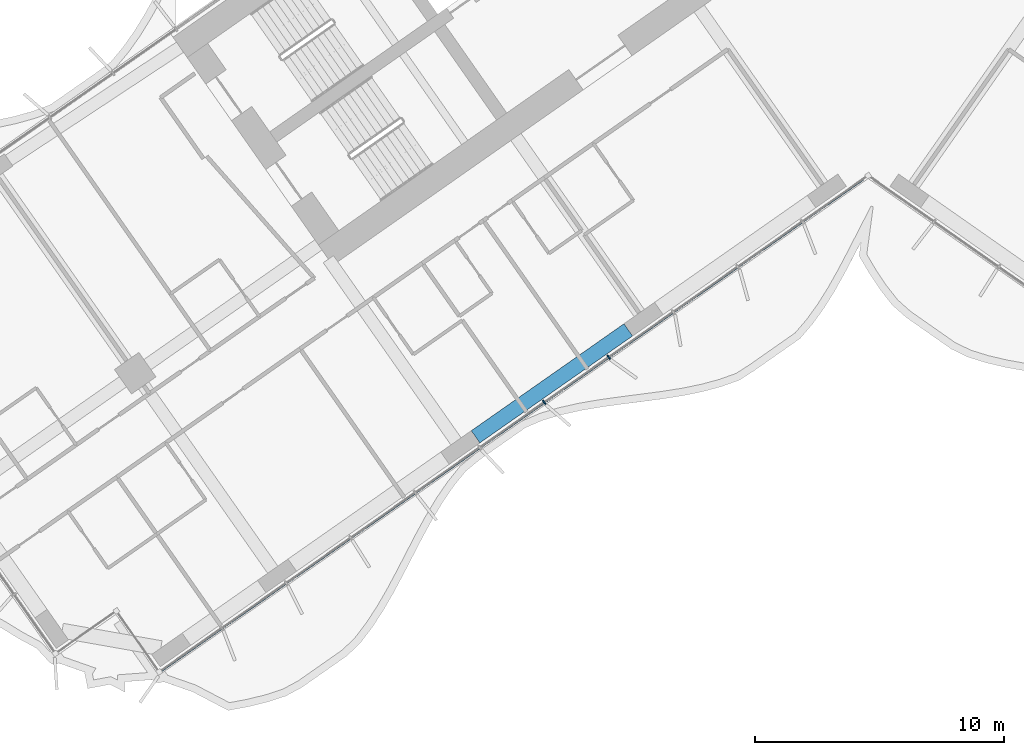
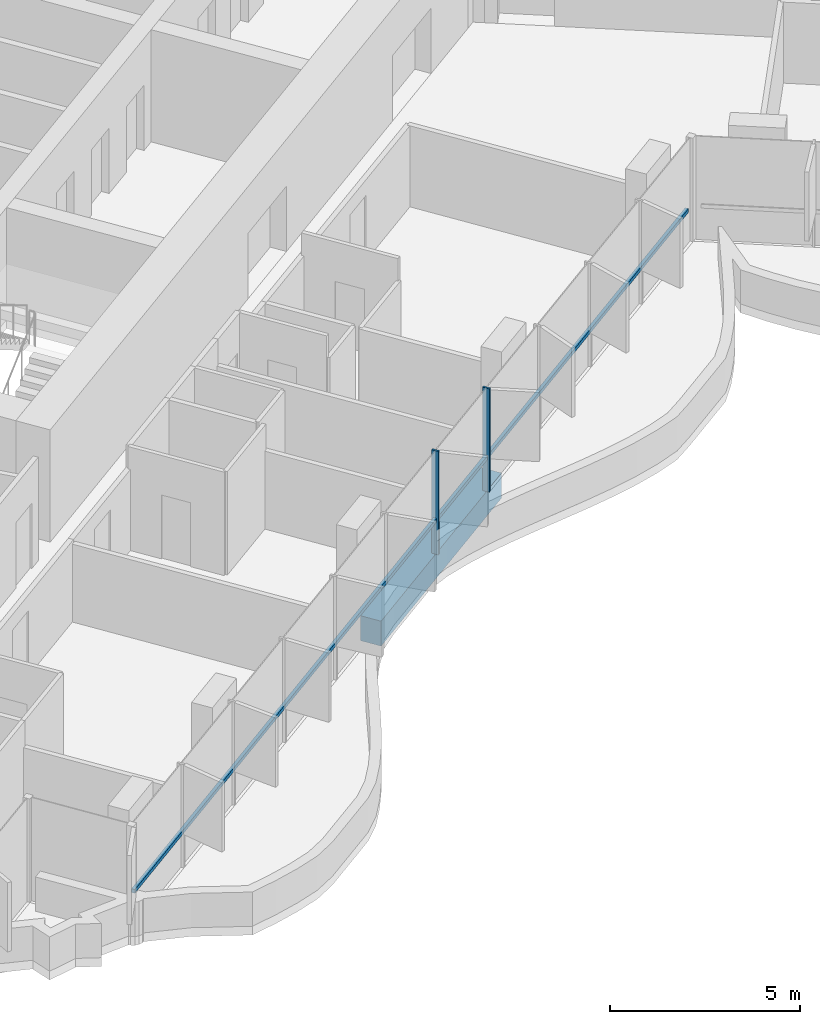
# One storey, part 3 of 23: 3 members, 1 beam, 1 element without a shape of its own.
"""IFC4 building model written with IfcOpenShell, lengths in metres."""

from ifc_helpers import new_model, si_unit, direction, frame, origin, origin_2d, place, context, subcontext, project, spatial, rectangle, extrude, material, material_profile, profile_set, type_object, element, aggregate, save


model = new_model("IFC4")

# Units and contexts
model_context = context("Model", 3, precision=1e-05, world=origin(), true_north=direction((0.0, 1.0)))
body_context = subcontext(model_context, "Body", "Model", "MODEL_VIEW")
ifc_project = project(units=[si_unit("LENGTHUNIT", "METRE"), si_unit("AREAUNIT", "SQUARE_METRE"), si_unit("VOLUMEUNIT", "CUBIC_METRE"), si_unit("PLANEANGLEUNIT", "RADIAN"), si_unit("MASSUNIT", "GRAM", prefix="KILO")], contexts=[model_context])

# Site, building, storey
site_placement = place(None, origin())
site = spatial("IfcSite", under=ifc_project, at=site_placement, CompositionType="ELEMENT")
building_placement = place(site_placement, origin())
building = spatial("IfcBuilding", under=site, at=building_placement, Name="Tel Ilan Convention Tower", CompositionType="ELEMENT")
storey_placement = place(building_placement, frame((0.0, 0.0, 108.5)))
storey = spatial("IfcBuildingStorey", under=building, at=storey_placement, Name="L23", CompositionType="ELEMENT", Elevation=108.5)

# Beam
ifc_material_1 = material(Name="Concrete C40/50", Category="concrete")
ifc_material_profile_1 = material_profile(ifc_material_1, rectangle(XDim=0.60009765625, YDim=0.800048828125, at=origin_2d()), Name="RC 600x800")
ifc_profile_set_1 = profile_set([ifc_material_profile_1], Name="Concrete C40/50")
beam_type = type_object("IfcBeamType", Name="Beam RC 600x800 Concrete C40/50", PredefinedType="BEAM", material=ifc_profile_set_1)
beam_placement = place(storey_placement, frame((-9.652099609375, -18.905029296875, -0.679931640625), z_axis=(-0.81915238829, -0.573575945067, 0.0), x_axis=(0.573575945067, -0.81915238829, 0.0)))
element("IfcBeam", 1, at=beam_placement, inside=storey, type_object=beam_type, Name="L23 beam W-W-F2-W-F3", PredefinedType="BEAM", context=body_context, shape_type="SweptSolid", body=[
    extrude(rectangle(XDim=0.60009765625, YDim=0.800048828125, at=origin_2d()), origin(), (0.0, 0.0, 1.0), 7.5),
])

# Curtain wall, members
ifc_material_2 = material(Name="Aluminium, bronze anodised", Category="aluminium")
curtain_wall_type = type_object("IfcCurtainWallType", Name="CW1 UNITISED CURTAIN WALL, HOTEL TINTED GLASS", PredefinedType="NOTDEFINED", material=ifc_material_2)
curtain_wall_placement = place(storey_placement, origin())
curtain_wall = element("IfcCurtainWall", 2, at=curtain_wall_placement, inside=storey, type_object=curtain_wall_type, Name="Curtain wall CW1-19.02", PredefinedType="NOTDEFINED")
ifc_material_3 = material(Name="Aluminium, bronze anodised", Category="aluminium")
ifc_material_profile_2 = material_profile(ifc_material_3, rectangle(XDim=0.06005859375, YDim=0.199951171875, at=origin_2d()), Name="CW MULLION 60x200")
ifc_profile_set_2 = profile_set([ifc_material_profile_2], Name="Aluminium, bronze anodised")
member_type_1 = type_object("IfcMemberType", Name="CW MULLION 60x200", PredefinedType="MULLION", material=ifc_profile_set_2)
member_1_placement = place(storey_placement, frame((-13.03271484375, -21.821533203125, 0.0), z_axis=(0.0, 0.0, 1.0), x_axis=(0.819152044289, 0.573576436351, 0.0)))
member_1 = element("IfcMember", 3, at=member_1_placement, type_object=member_type_1, Name="Mullion", PredefinedType="MULLION", context=body_context, shape_type="SweptSolid", body=[
    extrude(rectangle(XDim=0.06005859375, YDim=0.199951171875, at=origin_2d()), origin(), (0.0, 0.0, 1.0), 3.320068359375),
])
member_2_placement = place(storey_placement, frame((-10.4375, -20.004638671875, 0.0), z_axis=(0.0, 0.0, 1.0), x_axis=(0.819152044289, 0.573576436351, 0.0)))
member_2 = element("IfcMember", 4, at=member_2_placement, type_object=member_type_1, Name="Mullion", PredefinedType="MULLION", context=body_context, shape_type="SweptSolid", body=[
    extrude(rectangle(XDim=0.06005859375, YDim=0.199951171875, at=origin_2d()), origin(), (0.0, 0.0, 1.0), 3.320068359375),
])
ifc_material_4 = material(Name="Aluminium, bronze anodised", Category="aluminium")
ifc_material_profile_3 = material_profile(ifc_material_4, rectangle(XDim=0.10009765625, YDim=0.1201171875, at=origin_2d()), Name="CW TRANSOM 100x120")
ifc_profile_set_3 = profile_set([ifc_material_profile_3], Name="Aluminium, bronze anodised")
member_type_2 = type_object("IfcMemberType", Name="CW TRANSOM 100x120", PredefinedType="USERDEFINED", material=ifc_profile_set_3)
member_3_placement = place(storey_placement, frame((-28.439208984375, -32.609375, 1.10009765625), z_axis=(0.819151003602, 0.573577922604, 0.0), x_axis=(-0.573577922604, 0.819151003602, 0.0)))
member_3 = element("IfcMember", 5, at=member_3_placement, type_object=member_type_2, Name="Transom", ObjectType="TRANSOM", PredefinedType="USERDEFINED", context=body_context, shape_type="SweptSolid", body=[
    extrude(rectangle(XDim=0.10009765625, YDim=0.1201171875, at=origin_2d()), origin(), (0.0, 0.0, 1.0), 34.447998046875),
])
aggregate(curtain_wall, [member_1, member_2, member_3])

save(model, "model.ifc")
